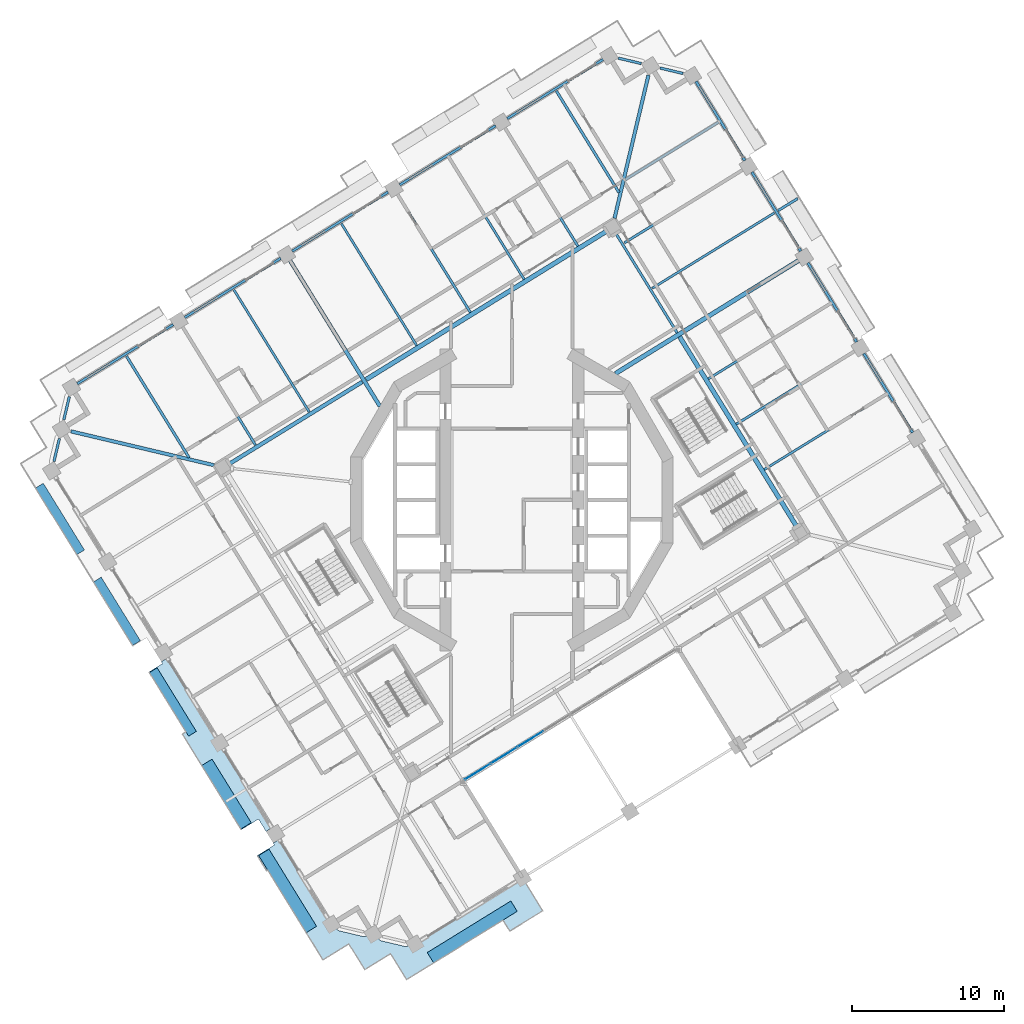
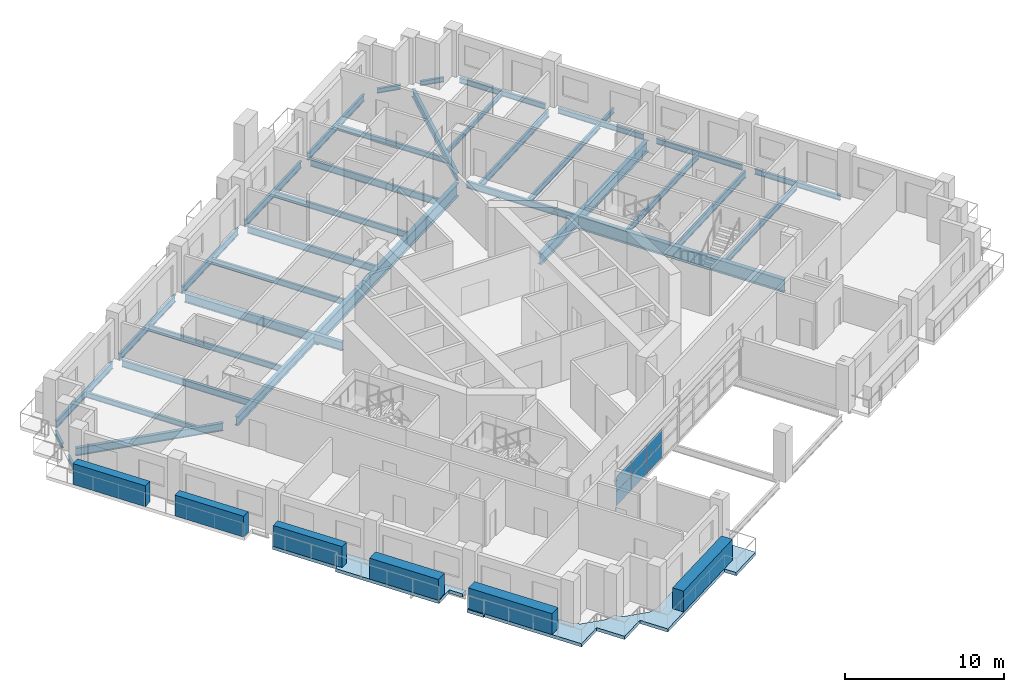
# One storey, part 6 of 22: 36 beams, 12 plates, 2 slabs, 1 element without a shape of its own.
"""IFC4 building model written with IfcOpenShell, lengths in metres."""

from ifc_helpers import new_model, si_unit, direction, frame, origin, origin_2d, place, context, subcontext, project, spatial, polyline, rectangle, i_section, outline, extrude, material, layer, layer_set, material_profile, profile_set, type_object, element, aggregate, save


model = new_model("IFC4")

# Units and contexts
model_context = context("Model", 3, precision=1e-05, world=origin(), true_north=direction((0.0, 1.0)))
body_context = subcontext(model_context, "Body", "Model", "MODEL_VIEW")
ifc_project = project(units=[si_unit("LENGTHUNIT", "METRE"), si_unit("AREAUNIT", "SQUARE_METRE"), si_unit("VOLUMEUNIT", "CUBIC_METRE"), si_unit("PLANEANGLEUNIT", "RADIAN"), si_unit("MASSUNIT", "GRAM", prefix="KILO")], contexts=[model_context])

# Site, building, storey
site_placement = place(None, origin())
site = spatial("IfcSite", under=ifc_project, at=site_placement, CompositionType="ELEMENT")
building_placement = place(site_placement, origin())
building = spatial("IfcBuilding", under=site, at=building_placement, Name="Cantera Rosa Tower", CompositionType="ELEMENT")
storey_placement = place(building_placement, frame((0.0, 0.0, 174.199951171875)))
storey = spatial("IfcBuildingStorey", under=building, at=storey_placement, Name="L38", CompositionType="ELEMENT", Elevation=174.199951171875)

# Beams
ifc_material_1 = material(Name="Steel ASTM A992 (Fy 345 MPa)", Category="steel")
ifc_material_profile_1 = material_profile(ifc_material_1, i_section(OverallWidth=0.300048828125, OverallDepth=0.990966796875, WebThickness=0.0166015625, FlangeThickness=0.030517578125, FilletRadius=0.030029296875, at=origin_2d()), Name="W1000X272")
ifc_profile_set_1 = profile_set([ifc_material_profile_1], Name="Steel ASTM A992 (Fy 345 MPa)")
beam_type_1 = type_object("IfcBeamType", Name="STEEL BEAM W1000X272", PredefinedType="BEAM", material=ifc_profile_set_1)
beam_1_placement = place(storey_placement, frame((18.767822265625, -1.75927734375, -0.745361328125), z_axis=(-0.524974072618, 0.851118219215, 0.0), x_axis=(-0.851118219215, -0.524974072618, 0.0)))
element("IfcBeam", 1, at=beam_1_placement, inside=storey, type_object=beam_type_1, Name="RB-Z3-05 L38", PredefinedType="BEAM", context=body_context, shape_type="SweptSolid", body=[
    extrude(i_section(OverallWidth=0.300048828125, OverallDepth=0.990966796875, WebThickness=0.0166015625, FlangeThickness=0.030517578125, FilletRadius=0.030029296875, at=origin_2d()), origin(), (0.0, 0.0, 1.0), 14.7099609375),
])
ifc_material_2 = material(Name="Steel ASTM A992 (Fy 345 MPa)", Category="steel")
ifc_material_profile_2 = material_profile(ifc_material_2, i_section(OverallWidth=0.302001953125, OverallDepth=1.010009765625, WebThickness=0.02099609375, FlangeThickness=0.0400390625, FilletRadius=0.030029296875, at=origin_2d()), Name="W1000X350")
ifc_profile_set_2 = profile_set([ifc_material_profile_2], Name="Steel ASTM A992 (Fy 345 MPa)")
beam_type_2 = type_object("IfcBeamType", Name="STEEL BEAM W1000X350", PredefinedType="BEAM", material=ifc_profile_set_2)
beam_2_placement = place(storey_placement, frame((-9.607666015625, 7.93798828125, -0.7548828125), z_axis=(0.851118702028, 0.524973289852, 0.0), x_axis=(-0.524973289852, 0.851118702028, 0.0)))
element("IfcBeam", 2, at=beam_2_placement, inside=storey, type_object=beam_type_2, Name="RB-Z3-02 L38", PredefinedType="BEAM", context=body_context, shape_type="SweptSolid", body=[
    extrude(i_section(OverallWidth=0.302001953125, OverallDepth=1.010009765625, WebThickness=0.02099609375, FlangeThickness=0.0400390625, FilletRadius=0.030029296875, at=origin_2d()), origin(), (0.0, 0.0, 1.0), 18.610107421875),
])
ifc_material_3 = material(Name="Steel ASTM A992 (Fy 345 MPa)", Category="steel")
ifc_material_profile_3 = material_profile(ifc_material_3, i_section(OverallWidth=0.166015625, OverallDepth=0.528076171875, WebThickness=0.009765625, FlangeThickness=0.013671875, FilletRadius=0.0126953125, at=origin_2d()), Name="W530X74")
ifc_profile_set_3 = profile_set([ifc_material_profile_3], Name="Steel ASTM A992 (Fy 345 MPa)")
beam_type_3 = type_object("IfcBeamType", Name="STEEL BEAM W530X74", PredefinedType="BEAM", material=ifc_profile_set_3)
for number, where, z_axis, x_axis, name in (
    (3, (22.5673828125, 9.795654296875, -0.513916015625), (-0.851123779764, -0.524965057427, 0.0), (0.524965057427, -0.851123779764, 0.0), "G-Z3-02 L38"),
    (4, (15.19677734375, 21.745361328125, -0.513916015625), (-0.851123779764, -0.524965057427, 0.0), (0.524965057427, -0.851123779764, 0.0), "G-Z3-04 L38"),
):
    element("IfcBeam", number, at=place(storey_placement, frame(where, z_axis=z_axis, x_axis=x_axis)), inside=storey, type_object=beam_type_3, Name=name, PredefinedType="BEAM", context=body_context, shape_type="SweptSolid", body=[
        extrude(i_section(OverallWidth=0.166015625, OverallDepth=0.528076171875, WebThickness=0.009765625, FlangeThickness=0.013671875, FilletRadius=0.0126953125, at=origin_2d()), origin(), (0.0, 0.0, 1.0), 9.150146484375),
    ])
beam_3_placement = place(storey_placement, frame((-0.455078125, 24.51025390625, -0.513916015625), z_axis=(0.524976979362, -0.851116426313, 0.0), x_axis=(0.851116426313, 0.524976979362, 0.0)))
element("IfcBeam", 5, at=beam_3_placement, inside=storey, type_object=beam_type_3, Name="G-Z3-05 L38", PredefinedType="BEAM", context=body_context, shape_type="SweptSolid", body=[
    extrude(i_section(OverallWidth=0.166015625, OverallDepth=0.528076171875, WebThickness=0.009765625, FlangeThickness=0.013671875, FilletRadius=0.0126953125, at=origin_2d()), origin(), (0.0, 0.0, 1.0), 9.14990234375),
])
beam_4_placement = place(storey_placement, frame((-7.536376953125, 20.142578125, -0.513916015625), z_axis=(0.524965057427, -0.851123779764, 0.0), x_axis=(0.851123779764, 0.524965057427, 0.0)))
element("IfcBeam", 6, at=beam_4_placement, inside=storey, type_object=beam_type_3, Name="G-Z3-06 L38", PredefinedType="BEAM", context=body_context, shape_type="SweptSolid", body=[
    extrude(i_section(OverallWidth=0.166015625, OverallDepth=0.528076171875, WebThickness=0.009765625, FlangeThickness=0.013671875, FilletRadius=0.0126953125, at=origin_2d()), origin(), (0.0, 0.0, 1.0), 9.150146484375),
])
beam_5_placement = place(storey_placement, frame((-21.698974609375, 11.40673828125, -0.513916015625), z_axis=(0.524976979362, -0.851116426313, 0.0), x_axis=(0.851116426313, 0.524976979362, 0.0)))
element("IfcBeam", 7, at=beam_5_placement, inside=storey, type_object=beam_type_3, Name="G-Z3-08 L38", PredefinedType="BEAM", context=body_context, shape_type="SweptSolid", body=[
    extrude(i_section(OverallWidth=0.166015625, OverallDepth=0.528076171875, WebThickness=0.009765625, FlangeThickness=0.013671875, FilletRadius=0.0126953125, at=origin_2d()), origin(), (0.0, 0.0, 1.0), 9.14990234375),
])
beam_6_placement = place(storey_placement, frame((10.887939453125, 11.015869140625, -0.513916015625), z_axis=(-0.52497571981, 0.851117203216, 0.0), x_axis=(-0.851117203216, -0.52497571981, 0.0)))
element("IfcBeam", 8, at=beam_6_placement, inside=storey, type_object=beam_type_3, Name="RB-Z3-06 L38", PredefinedType="BEAM", context=body_context, shape_type="SweptSolid", body=[
    extrude(i_section(OverallWidth=0.166015625, OverallDepth=0.528076171875, WebThickness=0.009765625, FlangeThickness=0.013671875, FilletRadius=0.0126953125, at=origin_2d()), origin(), (0.0, 0.0, 1.0), 7.690185546875),
])
ifc_material_4 = material(Name="Steel ASTM A992 (Fy 345 MPa)", Category="steel")
ifc_material_profile_4 = material_profile(ifc_material_4, i_section(OverallWidth=0.22802734375, OverallDepth=0.60205078125, WebThickness=0.010498046875, FlangeThickness=0.014892578125, FilletRadius=0.0126953125, at=origin_2d()), Name="W610X101")
ifc_profile_set_4 = profile_set([ifc_material_profile_4], Name="Steel ASTM A992 (Fy 345 MPa)")
beam_type_4 = type_object("IfcBeamType", Name="STEEL BEAM W610X101", PredefinedType="BEAM", material=ifc_profile_set_4)
for number, where, z_axis, x_axis, name in (
    (9, (8.995361328125, 27.989501953125, -0.551025390625), (-0.230622120091, -0.973043389436, 0.0), (0.973043389436, -0.230622120091, 0.0), "CB-Z3-01 L38"),
    (10, (-29.049560546875, 4.523193359375, -0.551025390625), (0.973043389436, -0.230622120091, 0.0), (0.230622120091, 0.973043389436, 0.0), "CB-Z3-02 L38"),
):
    element("IfcBeam", number, at=place(storey_placement, frame(where, z_axis=z_axis, x_axis=x_axis)), inside=storey, type_object=beam_type_4, Name=name, PredefinedType="BEAM", context=body_context, shape_type="SweptSolid", body=[
        extrude(i_section(OverallWidth=0.22802734375, OverallDepth=0.60205078125, WebThickness=0.010498046875, FlangeThickness=0.014892578125, FilletRadius=0.0126953125, at=origin_2d()), origin(), (0.0, 0.0, 1.0), 9.6875),
    ])
ifc_material_5 = material(Name="Steel ASTM A992 (Fy 345 MPa)", Category="steel")
ifc_material_profile_5 = material_profile(ifc_material_5, i_section(OverallWidth=0.25390625, OverallDepth=0.677978515625, WebThickness=0.01171875, FlangeThickness=0.016357421875, FilletRadius=0.01513671875, at=origin_2d()), Name="W690X125")
ifc_profile_set_5 = profile_set([ifc_material_profile_5], Name="Steel ASTM A992 (Fy 345 MPa)")
beam_type_5 = type_object("IfcBeamType", Name="STEEL BEAM W690X125", PredefinedType="BEAM", material=ifc_profile_set_5)
beam_7_placement = place(storey_placement, frame((-14.61767578125, 15.774658203125, -0.5888671875), z_axis=(0.524984160378, -0.85111199695, 0.0), x_axis=(0.85111199695, 0.524984160378, 0.0)))
element("IfcBeam", 11, at=beam_7_placement, inside=storey, type_object=beam_type_5, Name="G-Z3-07 L38", PredefinedType="BEAM", context=body_context, shape_type="SweptSolid", body=[
    extrude(i_section(OverallWidth=0.25390625, OverallDepth=0.677978515625, WebThickness=0.01171875, FlangeThickness=0.016357421875, FilletRadius=0.01513671875, at=origin_2d()), origin(), (0.0, 0.0, 1.0), 11.271728515625),
])
beam_8_placement = place(storey_placement, frame((-18.62109375, 2.37841796875, -0.5888671875), z_axis=(0.851114508358, 0.524980088825, 0.0), x_axis=(-0.524980088825, 0.851114508358, 0.0)))
element("IfcBeam", 12, at=beam_8_placement, inside=storey, type_object=beam_type_5, Name="RB-Z3-01 L38", PredefinedType="BEAM", context=body_context, shape_type="SweptSolid", body=[
    extrude(i_section(OverallWidth=0.25390625, OverallDepth=0.677978515625, WebThickness=0.01171875, FlangeThickness=0.016357421875, FilletRadius=0.01513671875, at=origin_2d()), origin(), (0.0, 0.0, 1.0), 10.2900390625),
])
ifc_material_6 = material(Name="Steel ASTM A992 (Fy 345 MPa)", Category="steel")
ifc_material_profile_6 = material_profile(ifc_material_6, i_section(OverallWidth=0.2919921875, OverallDepth=0.8359375, WebThickness=0.013916015625, FlangeThickness=0.018798828125, FilletRadius=0.017822265625, at=origin_2d()), Name="W840X176")
ifc_profile_set_6 = profile_set([ifc_material_profile_6], Name="Steel ASTM A992 (Fy 345 MPa)")
beam_type_6 = type_object("IfcBeamType", Name="STEEL BEAM W840X176", PredefinedType="BEAM", material=ifc_profile_set_6)
beam_9_placement = place(storey_placement, frame((18.882080078125, 15.7705078125, -0.66796875), z_axis=(-0.8511231456, -0.524966085595, 0.0), x_axis=(0.524966085595, -0.8511231456, 0.0)))
element("IfcBeam", 13, at=beam_9_placement, inside=storey, type_object=beam_type_6, Name="G-Z3-03 L38", PredefinedType="BEAM", context=body_context, shape_type="SweptSolid", body=[
    extrude(i_section(OverallWidth=0.2919921875, OverallDepth=0.8359375, WebThickness=0.013916015625, FlangeThickness=0.018798828125, FilletRadius=0.017822265625, at=origin_2d()), origin(), (0.0, 0.0, 1.0), 14.17138671875),
])
ifc_material_7 = material(Name="Steel ASTM A992 (Fy 345 MPa)", Category="steel")
ifc_material_profile_7 = material_profile(ifc_material_7, i_section(OverallWidth=0.1708984375, OverallDepth=0.35595703125, WebThickness=0.00732421875, FlangeThickness=0.01171875, FilletRadius=0.010009765625, at=origin_2d()), Name="W360X51")
ifc_profile_set_7 = profile_set([ifc_material_profile_7], Name="Steel ASTM A992 (Fy 345 MPa)")
beam_type_7 = type_object("IfcBeamType", Name="STEEL JOIST W360X51", PredefinedType="JOIST", material=ifc_profile_set_7)
beam_10_placement = place(storey_placement, frame((13.609375, 24.890380859375, -0.427978515625), z_axis=(-0.851109089911, -0.524988873283, 0.0), x_axis=(0.524988873283, -0.851109089911, 0.0)))
element("IfcBeam", 14, at=beam_10_placement, inside=storey, type_object=beam_type_7, Name="B-Z3-05 L38", PredefinedType="JOIST", context=body_context, shape_type="SweptSolid", body=[
    extrude(i_section(OverallWidth=0.1708984375, OverallDepth=0.35595703125, WebThickness=0.00732421875, FlangeThickness=0.01171875, FilletRadius=0.010009765625, at=origin_2d()), origin(), (0.0, 0.0, 1.0), 7.2099609375),
])
beam_11_placement = place(storey_placement, frame((17.532958984375, 19.0625, -0.427978515625), z_axis=(0.851148289142, 0.524925318393, 0.0), x_axis=(-0.524925318393, 0.851148289142, 0.0)))
element("IfcBeam", 15, at=beam_11_placement, inside=storey, type_object=beam_type_7, Name="BS-Z3-21 L38", PredefinedType="JOIST", context=body_context, shape_type="SweptSolid", body=[
    extrude(i_section(OverallWidth=0.1708984375, OverallDepth=0.35595703125, WebThickness=0.00732421875, FlangeThickness=0.01171875, FilletRadius=0.010009765625, at=origin_2d()), origin(), (0.0, 0.0, 1.0), 1.52978515625),
])
ifc_material_8 = material(Name="Steel ASTM A992 (Fy 345 MPa)", Category="steel")
ifc_material_profile_8 = material_profile(ifc_material_8, i_section(OverallWidth=0.177978515625, OverallDepth=0.406005859375, WebThickness=0.0078125, FlangeThickness=0.0126953125, FilletRadius=0.01025390625, at=origin_2d()), Name="W410X60")
ifc_profile_set_8 = profile_set([ifc_material_profile_8], Name="Steel ASTM A992 (Fy 345 MPa)")
beam_type_8 = type_object("IfcBeamType", Name="STEEL JOIST W410X60", PredefinedType="JOIST", material=ifc_profile_set_8)
beam_12_placement = place(storey_placement, frame((2.927978515625, 26.949462890625, -0.452880859375), z_axis=(0.524994840515, -0.85110540912, 0.0), x_axis=(0.85110540912, 0.524994840515, 0.0)))
element("IfcBeam", 16, at=beam_12_placement, inside=storey, type_object=beam_type_8, Name="B-Z3-06 L38", PredefinedType="JOIST", context=body_context, shape_type="SweptSolid", body=[
    extrude(i_section(OverallWidth=0.177978515625, OverallDepth=0.406005859375, WebThickness=0.0078125, FlangeThickness=0.0126953125, FilletRadius=0.01025390625, at=origin_2d()), origin(), (0.0, 0.0, 1.0), 7.860107421875),
])
beam_13_placement = place(storey_placement, frame((-25.39697265625, 9.478271484375, -0.452880859375), z_axis=(0.524972339906, -0.851119287958, 0.0), x_axis=(0.851119287958, 0.524972339906, 0.0)))
element("IfcBeam", 17, at=beam_13_placement, inside=storey, type_object=beam_type_8, Name="B-Z3-10 L38", PredefinedType="JOIST", context=body_context, shape_type="SweptSolid", body=[
    extrude(i_section(OverallWidth=0.177978515625, OverallDepth=0.406005859375, WebThickness=0.0078125, FlangeThickness=0.0126953125, FilletRadius=0.01025390625, at=origin_2d()), origin(), (0.0, 0.0, 1.0), 7.85986328125),
])
ifc_material_9 = material(Name="Steel ASTM A992 (Fy 345 MPa)", Category="steel")
ifc_material_profile_9 = material_profile(ifc_material_9, i_section(OverallWidth=0.154052734375, OverallDepth=0.4599609375, WebThickness=0.009033203125, FlangeThickness=0.015380859375, FilletRadius=0.01025390625, at=origin_2d()), Name="W460X68")
ifc_profile_set_9 = profile_set([ifc_material_profile_9], Name="Steel ASTM A992 (Fy 345 MPa)")
beam_type_9 = type_object("IfcBeamType", Name="STEEL JOIST W460X68", PredefinedType="JOIST", material=ifc_profile_set_9)
for number, where, z_axis, x_axis, name in (
    (18, (24.665283203125, 6.9658203125, -0.47998046875), (-0.851118539758, -0.524973552935, 0.0), (0.524973552935, -0.851118539758, 0.0), "B-Z3-02 L38"),
    (19, (20.97998046875, 12.940673828125, -0.47998046875), (-0.851118539758, -0.524973552935, 0.0), (0.524973552935, -0.851118539758, 0.0), "B-Z3-03 L38"),
    (20, (17.294677734375, 18.91552734375, -0.47998046875), (-0.851118539758, -0.524973552935, 0.0), (0.524973552935, -0.851118539758, 0.0), "B-Z3-04 L38"),
):
    element("IfcBeam", number, at=place(storey_placement, frame(where, z_axis=z_axis, x_axis=x_axis)), inside=storey, type_object=beam_type_9, Name=name, PredefinedType="JOIST", context=body_context, shape_type="SweptSolid", body=[
        extrude(i_section(OverallWidth=0.154052734375, OverallDepth=0.4599609375, WebThickness=0.009033203125, FlangeThickness=0.015380859375, FilletRadius=0.01025390625, at=origin_2d()), origin(), (0.0, 0.0, 1.0), 9.449951171875),
    ])
beam_14_placement = place(storey_placement, frame((-4.1533203125, 22.581787109375, -0.47998046875), z_axis=(0.524980724235, -0.851114116427, 0.0), x_axis=(0.851114116427, 0.524980724235, 0.0)))
element("IfcBeam", 21, at=beam_14_placement, inside=storey, type_object=beam_type_9, Name="B-Z3-07 L38", PredefinedType="JOIST", context=body_context, shape_type="SweptSolid", body=[
    extrude(i_section(OverallWidth=0.154052734375, OverallDepth=0.4599609375, WebThickness=0.009033203125, FlangeThickness=0.015380859375, FilletRadius=0.01025390625, at=origin_2d()), origin(), (0.0, 0.0, 1.0), 9.4501953125),
])
beam_15_placement = place(storey_placement, frame((-11.234619140625, 18.2138671875, -0.47998046875), z_axis=(0.524992267726, -0.85110699611, 0.0), x_axis=(0.85110699611, 0.524992267726, 0.0)))
element("IfcBeam", 22, at=beam_15_placement, inside=storey, type_object=beam_type_9, Name="B-Z3-08 L38", PredefinedType="JOIST", context=body_context, shape_type="SweptSolid", body=[
    extrude(i_section(OverallWidth=0.154052734375, OverallDepth=0.4599609375, WebThickness=0.009033203125, FlangeThickness=0.015380859375, FilletRadius=0.01025390625, at=origin_2d()), origin(), (0.0, 0.0, 1.0), 9.449951171875),
])
beam_16_placement = place(storey_placement, frame((-18.315673828125, 13.84619140625, -0.47998046875), z_axis=(0.524962009542, -0.851125659663, 0.0), x_axis=(0.851125659663, 0.524962009542, 0.0)))
element("IfcBeam", 23, at=beam_16_placement, inside=storey, type_object=beam_type_9, Name="B-Z3-09 L38", PredefinedType="JOIST", context=body_context, shape_type="SweptSolid", body=[
    extrude(i_section(OverallWidth=0.154052734375, OverallDepth=0.4599609375, WebThickness=0.009033203125, FlangeThickness=0.015380859375, FilletRadius=0.01025390625, at=origin_2d()), origin(), (0.0, 0.0, 1.0), 9.4501953125),
])
ifc_material_10 = material(Name="Steel ASTM A992 (Fy 345 MPa)", Category="steel")
ifc_material_profile_10 = material_profile(ifc_material_10, i_section(OverallWidth=0.1708984375, OverallDepth=0.35595703125, WebThickness=0.00732421875, FlangeThickness=0.01171875, FilletRadius=0.010009765625, at=origin_2d()), Name="W360X51")
ifc_profile_set_10 = profile_set([ifc_material_profile_10], Name="Steel ASTM A992 (Fy 345 MPa)")
beam_type_10 = type_object("IfcBeamType", Name="STEEL SPANDREL BEAM W360X51", PredefinedType="SPANDREL", material=ifc_profile_set_10)
for number, where, z_axis, x_axis, name in (
    (24, (11.275146484375, 28.103271484375, -0.427978515625), (-0.973059906546, 0.230552419793, 0.0), (-0.230552419793, -0.973059906546, 0.0), "EB-Z3-06 L38"),
    (25, (8.52294921875, 28.755615234375, -0.427978515625), (-0.973059906546, 0.230552419793, 0.0), (-0.230552419793, -0.973059906546, 0.0), "EB-Z3-07 L38"),
    (26, (-29.163330078125, 6.802734375, -0.427978515625), (-0.230552419793, -0.973059906546, 0.0), (0.973059906546, -0.230552419793, 0.0), "EB-Z3-13 L38"),
    (27, (-29.8154296875, 4.050537109375, -0.427978515625), (-0.230701014544, -0.973024687194, 0.0), (0.973024687194, -0.230701014544, 0.0), "EB-Z3-14 L38"),
):
    element("IfcBeam", number, at=place(storey_placement, frame(where, z_axis=z_axis, x_axis=x_axis)), inside=storey, type_object=beam_type_10, Name=name, PredefinedType="SPANDREL", context=body_context, shape_type="SweptSolid", body=[
        extrude(i_section(OverallWidth=0.1708984375, OverallDepth=0.35595703125, WebThickness=0.00732421875, FlangeThickness=0.01171875, FilletRadius=0.010009765625, at=origin_2d()), origin(), (0.0, 0.0, 1.0), 1.5556640625),
    ])
ifc_material_11 = material(Name="Steel ASTM A992 (Fy 345 MPa)", Category="steel")
ifc_material_profile_11 = material_profile(ifc_material_11, i_section(OverallWidth=0.177978515625, OverallDepth=0.406005859375, WebThickness=0.0078125, FlangeThickness=0.0126953125, FilletRadius=0.01025390625, at=origin_2d()), Name="W410X60")
ifc_profile_set_11 = profile_set([ifc_material_profile_11], Name="Steel ASTM A992 (Fy 345 MPa)")
beam_type_11 = type_object("IfcBeamType", Name="STEEL SPANDREL BEAM W410X60", PredefinedType="SPANDREL", material=ifc_profile_set_11)
for number, where, z_axis, x_axis, name in (
    (28, (26.3994140625, 4.440185546875, -0.452880859375), (-0.524987447654, 0.851109969279, 0.0), (-0.851109969279, -0.524987447654, 0.0), "EB-Z3-02 L38"),
    (29, (22.714111328125, 10.4150390625, -0.452880859375), (-0.524987447654, 0.851109969279, 0.0), (-0.851109969279, -0.524987447654, 0.0), "EB-Z3-03 L38"),
    (30, (19.02880859375, 16.389892578125, -0.452880859375), (-0.524987447654, 0.851109969279, 0.0), (-0.851109969279, -0.524987447654, 0.0), "EB-Z3-04 L38"),
    (31, (15.343505859375, 22.36474609375, -0.452880859375), (-0.524987447654, 0.851109969279, 0.0), (-0.851109969279, -0.524987447654, 0.0), "EB-Z3-05 L38"),
):
    element("IfcBeam", number, at=place(storey_placement, frame(where, z_axis=z_axis, x_axis=x_axis)), inside=storey, type_object=beam_type_11, Name=name, PredefinedType="SPANDREL", context=body_context, shape_type="SweptSolid", body=[
        extrude(i_section(OverallWidth=0.177978515625, OverallDepth=0.406005859375, WebThickness=0.0078125, FlangeThickness=0.0126953125, FilletRadius=0.01025390625, at=origin_2d()), origin(), (0.0, 0.0, 1.0), 6.119873046875),
    ])
ifc_material_12 = material(Name="Steel ASTM A992 (Fy 345 MPa)", Category="steel")
ifc_material_profile_12 = material_profile(ifc_material_12, i_section(OverallWidth=0.166015625, OverallDepth=0.528076171875, WebThickness=0.009765625, FlangeThickness=0.013671875, FilletRadius=0.0126953125, at=origin_2d()), Name="W530X74")
ifc_profile_set_12 = profile_set([ifc_material_profile_12], Name="Steel ASTM A992 (Fy 345 MPa)")
beam_type_12 = type_object("IfcBeamType", Name="STEEL SPANDREL BEAM W530X74", PredefinedType="SPANDREL", material=ifc_profile_set_12)
for number, where, z_axis, x_axis, name in (
    (32, (6.007080078125, 29.02490234375, -0.513916015625), (-0.851111085575, -0.524985637909, 0.0), (0.524985637909, -0.851111085575, 0.0), "EB-Z3-08 L38"),
    (33, (-1.07421875, 24.656982421875, -0.513916015625), (-0.85112578684, -0.524961803349, 0.0), (0.524961803349, -0.85112578684, 0.0), "EB-Z3-09 L38"),
    (34, (-8.155517578125, 20.289306640625, -0.513916015625), (-0.851111085575, -0.524985637909, 0.0), (0.524985637909, -0.851111085575, 0.0), "EB-Z3-10 L38"),
    (35, (-15.23681640625, 15.92138671875, -0.513916015625), (-0.85112578684, -0.524961803349, 0.0), (0.524961803349, -0.85112578684, 0.0), "EB-Z3-11 L38"),
    (36, (-22.318115234375, 11.5537109375, -0.513916015625), (-0.851111085575, -0.524985637909, 0.0), (0.524985637909, -0.851111085575, 0.0), "EB-Z3-12 L38"),
):
    element("IfcBeam", number, at=place(storey_placement, frame(where, z_axis=z_axis, x_axis=x_axis)), inside=storey, type_object=beam_type_12, Name=name, PredefinedType="SPANDREL", context=body_context, shape_type="SweptSolid", body=[
        extrude(i_section(OverallWidth=0.166015625, OverallDepth=0.528076171875, WebThickness=0.009765625, FlangeThickness=0.013671875, FilletRadius=0.0126953125, at=origin_2d()), origin(), (0.0, 0.0, 1.0), 7.420166015625),
    ])

# Curtain wall, plates
ifc_material_13 = material(Name="Aluminium frame with clear glass", Category="aluminium")
curtain_wall_type = type_object("IfcCurtainWallType", Name="CW1 TERRACE POCKET GLAZING", PredefinedType="NOTDEFINED", material=ifc_material_13)
curtain_wall_placement = place(storey_placement, origin())
curtain_wall = element("IfcCurtainWall", 37, at=curtain_wall_placement, inside=storey, type_object=curtain_wall_type, Name="CW1 CW1", PredefinedType="NOTDEFINED")
ifc_material_14 = material(Name="Aluminium frame with clear glass", Category="aluminium")
ifc_layer_1 = layer(ifc_material_14, 0.028076171875)
ifc_layer_set_1 = layer_set([ifc_layer_1], Name="CW-PANEL POCKET")
plate_type_1 = type_object("IfcPlateType", Name="CW-PANEL POCKET", PredefinedType="CURTAIN_PANEL", material=ifc_layer_set_1)
plate_1_placement = place(storey_placement, frame((-2.2548828125, -17.898681640625, 0.06005859375), z_axis=(0.0, 0.0, 1.0), x_axis=(0.851116672425, 0.524976580354, 0.0)))
plate_1 = element("IfcPlate", 38, at=plate_1_placement, type_object=plate_type_1, Name="CW1 panel 1.1", PredefinedType="CURTAIN_PANEL", context=body_context, shape_type="SweptSolid", body=[
    extrude(rectangle(XDim=1.958740234375, YDim=0.028076171875, at=origin_2d()), origin(), (0.0, 0.0, 1.0), 1.0791015625),
])
plate_2_placement = place(storey_placement, frame((-2.2548828125, -17.898681640625, 1.198974609375), z_axis=(0.0, 0.0, 1.0), x_axis=(0.851116672425, 0.524976580354, 0.0)))
plate_2 = element("IfcPlate", 39, at=plate_2_placement, type_object=plate_type_1, Name="CW1 panel 1.2", PredefinedType="CURTAIN_PANEL", context=body_context, shape_type="SweptSolid", body=[
    extrude(rectangle(XDim=1.958740234375, YDim=0.028076171875, at=origin_2d()), origin(), (0.0, 0.0, 1.0), 1.0791015625),
])
plate_3_placement = place(storey_placement, frame((-0.52392578125, -16.8310546875, 0.06005859375), z_axis=(0.0, 0.0, 1.0), x_axis=(0.851116672425, 0.524976580354, 0.0)))
plate_3 = element("IfcPlate", 40, at=plate_3_placement, type_object=plate_type_1, Name="CW1 panel 2.1", PredefinedType="CURTAIN_PANEL", context=body_context, shape_type="SweptSolid", body=[
    extrude(rectangle(XDim=1.98876953125, YDim=0.028076171875, at=origin_2d()), origin(), (0.0, 0.0, 1.0), 1.0791015625),
])
plate_4_placement = place(storey_placement, frame((-0.52392578125, -16.8310546875, 1.198974609375), z_axis=(0.0, 0.0, 1.0), x_axis=(0.851116672425, 0.524976580354, 0.0)))
plate_4 = element("IfcPlate", 41, at=plate_4_placement, type_object=plate_type_1, Name="CW1 panel 2.2", PredefinedType="CURTAIN_PANEL", context=body_context, shape_type="SweptSolid", body=[
    extrude(rectangle(XDim=1.98876953125, YDim=0.028076171875, at=origin_2d()), origin(), (0.0, 0.0, 1.0), 1.0791015625),
])
plate_5_placement = place(storey_placement, frame((1.2197265625, -15.75537109375, 0.06005859375), z_axis=(0.0, 0.0, 1.0), x_axis=(0.851116672425, 0.524976580354, 0.0)))
plate_5 = element("IfcPlate", 42, at=plate_5_placement, type_object=plate_type_1, Name="CW1 panel 3.1", PredefinedType="CURTAIN_PANEL", context=body_context, shape_type="SweptSolid", body=[
    extrude(rectangle(XDim=1.98876953125, YDim=0.028076171875, at=origin_2d()), origin(), (0.0, 0.0, 1.0), 1.0791015625),
])
plate_6_placement = place(storey_placement, frame((1.2197265625, -15.75537109375, 1.198974609375), z_axis=(0.0, 0.0, 1.0), x_axis=(0.851116672425, 0.524976580354, 0.0)))
plate_6 = element("IfcPlate", 43, at=plate_6_placement, type_object=plate_type_1, Name="CW1 panel 3.2", PredefinedType="CURTAIN_PANEL", context=body_context, shape_type="SweptSolid", body=[
    extrude(rectangle(XDim=1.98876953125, YDim=0.028076171875, at=origin_2d()), origin(), (0.0, 0.0, 1.0), 1.0791015625),
])
aggregate(curtain_wall, [plate_1, plate_2, plate_3, plate_4, plate_5, plate_6])

# Slabs
ifc_material_15 = material(Name="Concrete C35/45", Category="concrete")
ifc_layer_2 = layer(ifc_material_15, 0.25)
ifc_layer_set_2 = layer_set([ifc_layer_2], Name="LOGGIA SLAB 250 C35/45")
slab_type = type_object("IfcSlabType", Name="LOGGIA SLAB 250 C35/45", PredefinedType="FLOOR", material=ifc_layer_set_2)
slab_1_placement = place(storey_placement, frame((0.0, 0.0, -0.25)))
element("IfcSlab", 44, at=slab_1_placement, inside=storey, type_object=slab_type, Name="LOGGIA SLAB L38 2", PredefinedType="FLOOR", context=body_context, shape_type="SweptSolid", body=[
    extrude(outline(polyline([(-23.439697265625, -12.09619140625), (-23.912109375, -11.330078125), (-23.018310546875, -10.77880859375), (-23.09716796875, -10.651123046875), (-22.714111328125, -10.4150390625), (-15.81591796875, -21.5986328125), (-16.198974609375, -21.8349609375), (-16.69775390625, -21.0263671875), (-17.829345703125, -21.724365234375), (-21.714111328125, -15.426513671875), (-21.47607421875, -15.279541015625), (-23.439697265625, -12.09619140625)])), origin(), (0.0, 0.0, 1.0), 0.25),
])
slab_2_placement = place(storey_placement, frame((0.0, 0.0, -0.25)))
element("IfcSlab", 45, at=slab_2_placement, inside=storey, type_object=slab_type, Name="LOGGIA SLAB L38 4", PredefinedType="FLOOR", context=body_context, shape_type="SweptSolid", body=[
    extrude(outline(polyline([(-5.49755859375, -30.7080078125), (-6.9443359375, -31.600341796875), (-7.8369140625, -30.153564453125), (-7.994384765625, -29.898193359375), (-8.249755859375, -30.0556640625), (-9.696533203125, -30.9482421875), (-10.589111328125, -29.501220703125), (-10.74658203125, -29.245849609375), (-11.001953125, -29.4033203125), (-12.44873046875, -30.2958984375), (-13.34130859375, -28.84912109375), (-16.09228515625, -24.388916015625), (-16.16015625, -24.4306640625), (-16.779296875, -23.426513671875), (-15.647705078125, -22.728515625), (-15.7265625, -22.600830078125), (-15.343505859375, -22.36474609375), (-12.408935546875, -27.122314453125), (-11.894287109375, -27.95654296875), (-11.4736328125, -28.328125), (-11.45068359375, -28.346435546875), (-11.426025390625, -28.362548828125), (-11.39990234375, -28.376220703125), (-11.37255859375, -28.386962890625), (-11.34423828125, -28.395263671875), (-9.83056640625, -28.75390625), (-9.801513671875, -28.75927734375), (-9.772216796875, -28.76171875), (-9.742919921875, -28.761474609375), (-9.713623046875, -28.75830078125), (-9.684814453125, -28.752197265625), (-9.14208984375, -28.60888671875), (-8.721435546875, -28.98046875), (-8.698486328125, -28.998779296875), (-8.673828125, -29.014892578125), (-8.647705078125, -29.0283203125), (-8.620361328125, -29.039306640625), (-8.592041015625, -29.047607421875), (-7.078369140625, -29.40625), (-7.049560546875, -29.41162109375), (-7.02001953125, -29.4140625), (-6.99072265625, -29.413818359375), (-6.96142578125, -29.410400390625), (-6.9326171875, -29.404296875), (-6.389892578125, -29.260986328125), (0.69140625, -24.893310546875), (2.031005859375, -27.065185546875), (-0.14111328125, -28.40478515625), (-0.588134765625, -27.6796875), (-5.49755859375, -30.7080078125)])), origin(), (0.0, 0.0, 1.0), 0.25),
])

# Plates
ifc_material_16 = material(Name="Cantera stone planter with soil", Category="masonry")
plate_type_2 = type_object("IfcPlateType", Name="PLANTER 600", PredefinedType="USERDEFINED", material=ifc_material_16)
plate_7_placement = place(storey_placement, frame((-29.775390625, -1.2529296875, 0.0), z_axis=(0.0, 0.0, 1.0), x_axis=(0.52497658034, -0.851116672434, 0.0)))
element("IfcPlate", 46, at=plate_7_placement, inside=storey, type_object=plate_type_2, Name="PLANTER L38-11", ObjectType="PLANTER", PredefinedType="USERDEFINED", context=body_context, shape_type="SweptSolid", body=[
    extrude(rectangle(XDim=5.169921875, YDim=0.60009765625, at=origin_2d()), origin(), (0.0, 0.0, 1.0), 1.60009765625),
])
for number, where, z_axis, x_axis, name in (
    (47, (-26.0244140625, -7.333984375, 0.0), (0.0, 0.0, 1.0), (0.52497658034, -0.851116672434, 0.0), "PLANTER L38-12"),
    (48, (-22.339111328125, -13.308837890625, 0.0), (0.0, 0.0, 1.0), (0.52497658034, -0.851116672434, 0.0), "PLANTER L38-13"),
):
    element("IfcPlate", number, at=place(storey_placement, frame(where, z_axis=z_axis, x_axis=x_axis)), inside=storey, type_object=plate_type_2, Name=name, ObjectType="PLANTER", PredefinedType="USERDEFINED", context=body_context, shape_type="SweptSolid", body=[
        extrude(rectangle(XDim=4.919921875, YDim=0.60009765625, at=origin_2d()), origin(), (0.0, 0.0, 1.0), 1.60009765625),
    ])
ifc_material_17 = material(Name="Cantera stone planter with soil", Category="masonry")
plate_type_3 = type_object("IfcPlateType", Name="PLANTER 800", PredefinedType="USERDEFINED", material=ifc_material_17)
plate_8_placement = place(storey_placement, frame((-18.806640625, -19.378173828125, 0.0), z_axis=(0.0, 0.0, 1.0), x_axis=(0.52497658034, -0.851116672434, 0.0)))
element("IfcPlate", 49, at=plate_8_placement, inside=storey, type_object=plate_type_3, Name="PLANTER L38-14", ObjectType="PLANTER", PredefinedType="USERDEFINED", context=body_context, shape_type="SweptSolid", body=[
    extrude(rectangle(XDim=4.919921875, YDim=0.800048828125, at=origin_2d()), origin(), (0.0, 0.0, 1.0), 1.60009765625),
])
plate_9_placement = place(storey_placement, frame((-14.77783203125, -25.758056640625, 0.0), z_axis=(0.0, 0.0, 1.0), x_axis=(0.52497658034, -0.851116672434, 0.0)))
element("IfcPlate", 50, at=plate_9_placement, inside=storey, type_object=plate_type_3, Name="PLANTER L38-15", ObjectType="PLANTER", PredefinedType="USERDEFINED", context=body_context, shape_type="SweptSolid", body=[
    extrude(rectangle(XDim=5.969970703125, YDim=0.800048828125, at=origin_2d()), origin(), (0.0, 0.0, 1.0), 1.60009765625),
])
plate_10_placement = place(storey_placement, frame((-2.61376953125, -28.459228515625, 0.0), z_axis=(0.0, 0.0, 1.0), x_axis=(0.851116672434, 0.52497658034, 0.0)))
element("IfcPlate", 51, at=plate_10_placement, inside=storey, type_object=plate_type_3, Name="PLANTER L38-16", ObjectType="PLANTER", PredefinedType="USERDEFINED", context=body_context, shape_type="SweptSolid", body=[
    extrude(rectangle(XDim=6.469970703125, YDim=0.800048828125, at=origin_2d()), origin(), (0.0, 0.0, 1.0), 1.60009765625),
])

save(model, "model.ifc")
